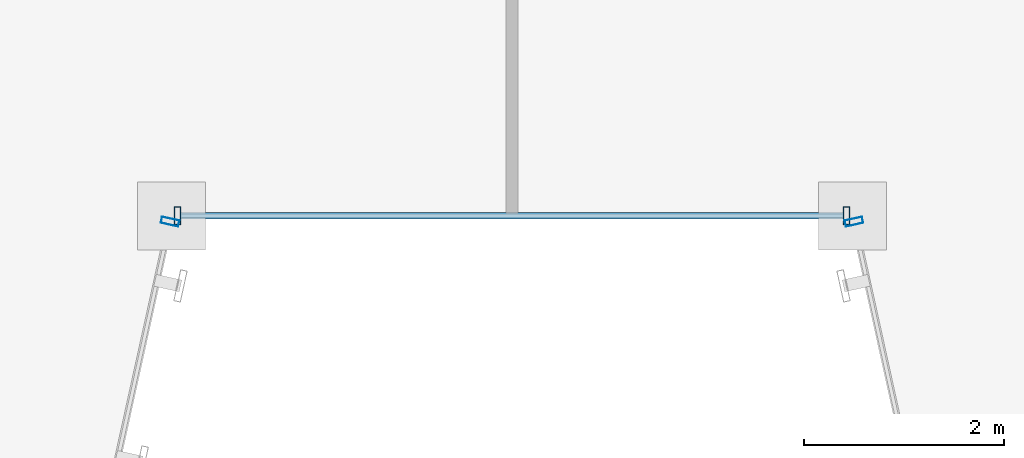
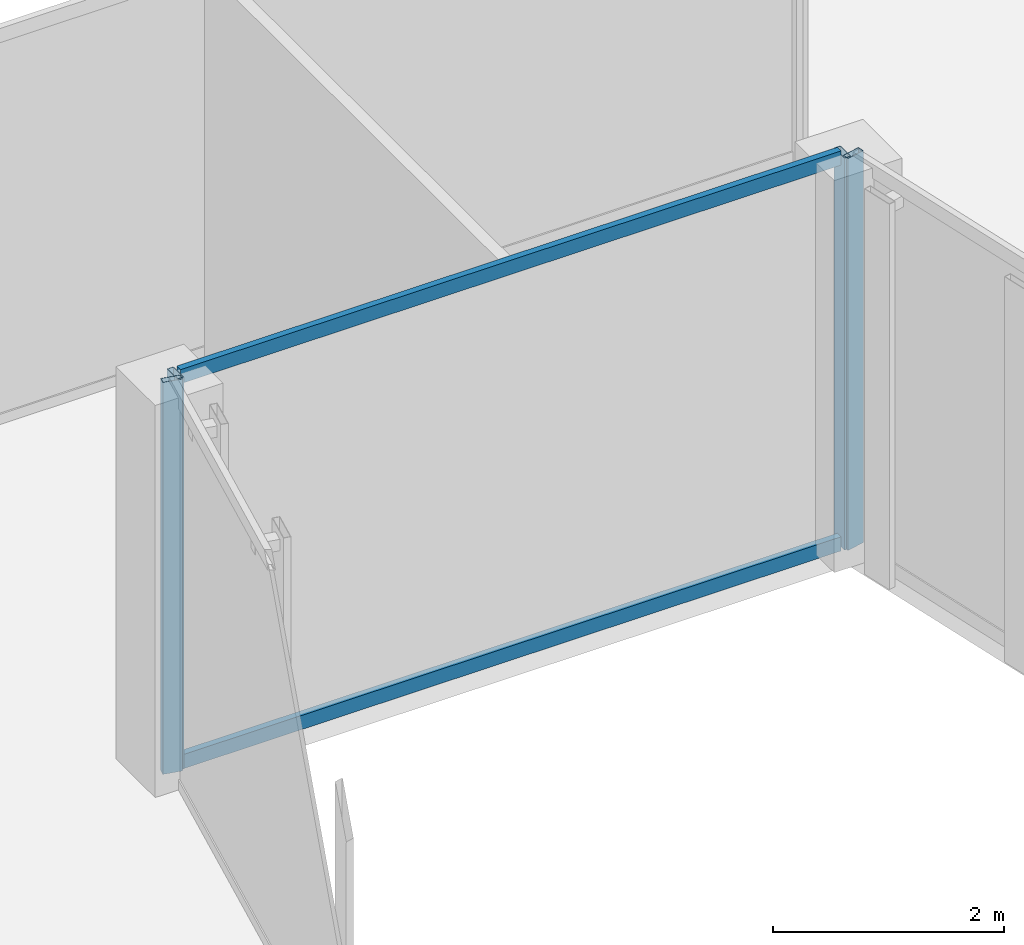
# One storey, part 9 of 47: 6 members, 3 elements without a shape of their own.
"""IFC4 building model written with IfcOpenShell, lengths in metres."""

from ifc_helpers import new_model, si_unit, direction, frame, origin, origin_2d, place, context, subcontext, project, spatial, hollow_rectangle, extrude, material, material_profile, profile_set, type_object, element, aggregate, save


model = new_model("IFC4")

# Units and contexts
model_context = context("Model", 3, precision=1e-05, world=origin(), true_north=direction((0.0, 1.0)))
body_context = subcontext(model_context, "Body", "Model", "MODEL_VIEW")
ifc_project = project(units=[si_unit("LENGTHUNIT", "METRE"), si_unit("AREAUNIT", "SQUARE_METRE"), si_unit("VOLUMEUNIT", "CUBIC_METRE"), si_unit("PLANEANGLEUNIT", "RADIAN"), si_unit("MASSUNIT", "GRAM", prefix="KILO")], contexts=[model_context])

# Site, building, storey
site_placement = place(None, origin())
site = spatial("IfcSite", under=ifc_project, at=site_placement, CompositionType="ELEMENT")
building_placement = place(site_placement, origin())
building = spatial("IfcBuilding", under=site, at=building_placement, Name="Saevonmaru Cultural Tower", CompositionType="ELEMENT")
storey_placement = place(building_placement, frame((0.0, 0.0, 64.800048828125)))
storey = spatial("IfcBuildingStorey", under=building, at=storey_placement, Name="L13", CompositionType="ELEMENT", Elevation=64.800048828125)

# Curtain wall, member
ifc_material = material(Name="Satin Bronze Anodised Aluminium", Category="aluminium")
curtain_wall_type = type_object("IfcCurtainWallType", Name="CW-TYP-A", PredefinedType="NOTDEFINED", material=ifc_material)
curtain_wall_1_placement = place(storey_placement, origin())
curtain_wall_1 = element("IfcCurtainWall", 1, at=curtain_wall_1_placement, inside=storey, type_object=curtain_wall_type, Name="L13 Unitised Curtain Wall E3", PredefinedType="NOTDEFINED")
ifc_material_profile_1 = material_profile(ifc_material, hollow_rectangle(XDim=0.06494140625, YDim=0.179931640625, WallThickness=0.00390625, at=origin_2d()), Name="ALU-MULL-180x65x4")
ifc_profile_set_1 = profile_set([ifc_material_profile_1], Name="Satin Bronze Anodised Aluminium")
member_type_1 = type_object("IfcMemberType", Name="ML-CW-180x65", PredefinedType="MULLION", material=ifc_profile_set_1)
member_1_placement = place(storey_placement, frame((26.587158203125, 15.54150390625, 0.0), z_axis=(0.0, 0.0, 1.0), x_axis=(0.215413319953, 0.976522965212, 0.0)))
member_1 = element("IfcMember", 2, at=member_1_placement, type_object=member_type_1, Name="CW-TW-L13-E3 mullion 2", PredefinedType="MULLION", context=body_context, shape_type="SweptSolid", body=[
    extrude(hollow_rectangle(XDim=0.06494140625, YDim=0.179931640625, WallThickness=0.00390625, at=origin_2d()), origin(), (0.0, 0.0, 1.0), 4.14990234375),
])
aggregate(curtain_wall_1, [member_1])

# Curtain wall, members
curtain_wall_2_placement = place(storey_placement, origin())
curtain_wall_2 = element("IfcCurtainWall", 3, at=curtain_wall_2_placement, inside=storey, type_object=curtain_wall_type, Name="L13 Unitised Curtain Wall E4", PredefinedType="NOTDEFINED")
member_2_placement = place(storey_placement, frame((26.659912109375, 15.60009765625, 0.0), z_axis=(0.0, 0.0, 1.0), x_axis=(1.0, 0.0, 0.0)))
member_2 = element("IfcMember", 4, at=member_2_placement, type_object=member_type_1, Name="CW-TW-L13-E4 mullion 1", PredefinedType="MULLION", context=body_context, shape_type="SweptSolid", body=[
    extrude(hollow_rectangle(XDim=0.06494140625, YDim=0.179931640625, WallThickness=0.00390625, at=origin_2d()), origin(), (0.0, 0.0, 1.0), 4.14990234375),
])
member_3_placement = place(storey_placement, frame((33.340087890625, 15.60009765625, 0.0), z_axis=(0.0, 0.0, 1.0), x_axis=(1.0, 0.0, 0.0)))
member_3 = element("IfcMember", 5, at=member_3_placement, type_object=member_type_1, Name="CW-TW-L13-E4 mullion 2", PredefinedType="MULLION", context=body_context, shape_type="SweptSolid", body=[
    extrude(hollow_rectangle(XDim=0.06494140625, YDim=0.179931640625, WallThickness=0.00390625, at=origin_2d()), origin(), (0.0, 0.0, 1.0), 4.14990234375),
])

# Curtain wall, member
curtain_wall_3_placement = place(storey_placement, origin())
curtain_wall_3 = element("IfcCurtainWall", 6, at=curtain_wall_3_placement, inside=storey, type_object=curtain_wall_type, Name="L13 Unitised Curtain Wall E5", PredefinedType="NOTDEFINED")
member_4_placement = place(storey_placement, frame((33.412841796875, 15.54150390625, 0.0), z_axis=(0.0, 0.0, 1.0), x_axis=(0.215413319953, -0.976522965212, 0.0)))
member_4 = element("IfcMember", 7, at=member_4_placement, type_object=member_type_1, Name="CW-TW-L13-E5 mullion 1", PredefinedType="MULLION", context=body_context, shape_type="SweptSolid", body=[
    extrude(hollow_rectangle(XDim=0.06494140625, YDim=0.179931640625, WallThickness=0.00390625, at=origin_2d()), origin(), (0.0, 0.0, 1.0), 4.14990234375),
])
aggregate(curtain_wall_3, [member_4])

# Member
ifc_material_profile_2 = material_profile(ifc_material, hollow_rectangle(XDim=0.06494140625, YDim=0.14990234375, WallThickness=0.00390625, at=origin_2d()), Name="ALU-TRAN-150x65x4")
ifc_profile_set_2 = profile_set([ifc_material_profile_2], Name="Satin Bronze Anodised Aluminium")
member_type_2 = type_object("IfcMemberType", Name="TR-CW-150x65", PredefinedType="USERDEFINED", material=ifc_profile_set_2)
member_5_placement = place(storey_placement, frame((26.6923828125, 15.60009765625, 0.032470703125), z_axis=(1.0, 0.0, 0.0), x_axis=(0.0, 1.0, 0.0)))
member_5 = element("IfcMember", 8, at=member_5_placement, type_object=member_type_2, Name="CW-TW-L13-E4 transom 1.1", ObjectType="TRANSOM", PredefinedType="USERDEFINED", context=body_context, shape_type="SweptSolid", body=[
    extrude(hollow_rectangle(XDim=0.06494140625, YDim=0.14990234375, WallThickness=0.00390625, at=origin_2d()), origin(), (0.0, 0.0, 1.0), 6.615234375),
])

member_6_placement = place(storey_placement, frame((26.6923828125, 15.60009765625, 4.117431640625), z_axis=(1.0, 0.0, 0.0), x_axis=(0.0, 1.0, 0.0)))
member_6 = element("IfcMember", 9, at=member_6_placement, type_object=member_type_2, Name="CW-TW-L13-E4 transom 1.2", ObjectType="TRANSOM", PredefinedType="USERDEFINED", context=body_context, shape_type="SweptSolid", body=[
    extrude(hollow_rectangle(XDim=0.06494140625, YDim=0.14990234375, WallThickness=0.00390625, at=origin_2d()), origin(), (0.0, 0.0, 1.0), 6.615234375),
])

aggregate(curtain_wall_2, [member_2, member_3, member_5, member_6])

save(model, "model.ifc")
